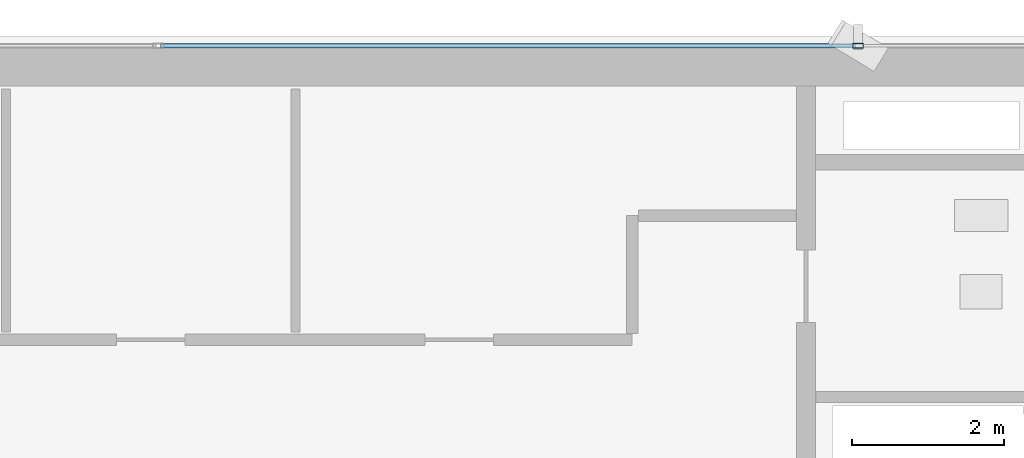
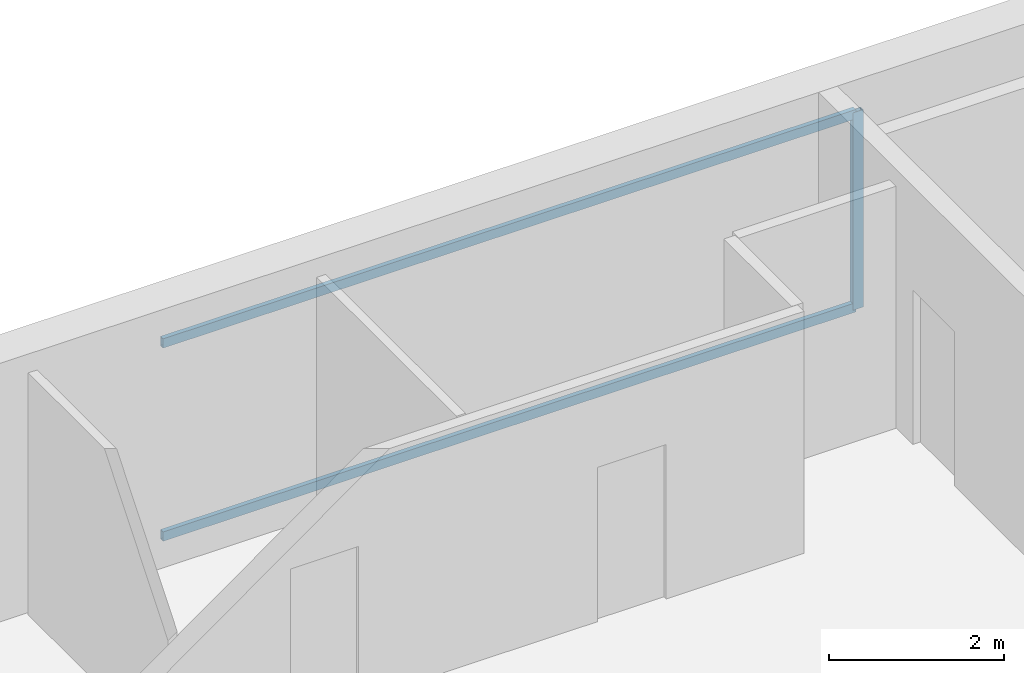
# One storey, part 17 of 26: 3 members, 1 element without a shape of its own.
"""IFC4 building model written with IfcOpenShell, lengths in metres."""

import ifcopenshell
import ifcopenshell.guid

model = None  # the IFC model being written
_history = None  # IfcOwnerHistory: only IFC2X3 demands one
_inside = {}  # id of a spatial element -> (the spatial element, [elements in it])
_under = {}  # id of a project, library or spatial element -> (it, [spatial elements below it])
_declared = {}  # id of a project -> (the project, [libraries it declares])
_typed = {}  # id of a type object -> (the type object, [elements of that type])
_made_of = {}  # id of a material, layer set ... -> (it, [elements and type objects made of it])


def new_model(schema):
    """Start an empty IFC model of exactly this schema.

    Asked for "IFC4X3", IfcOpenShell would pick the latest addendum, in which some entities
    have other attributes; the version numbers below select the first issue.
    IFC2X3 requires an IfcOwnerHistory on every rooted entity: one is made here for all.
    """
    global model, _history
    if schema == "IFC4X3":
        model = ifcopenshell.file(schema_version=(4, 3, 0, 0))
    else:
        model = ifcopenshell.file(schema=schema)
    _inside.clear()
    _under.clear()
    _declared.clear()
    _typed.clear()
    _made_of.clear()
    _history = None
    if model.schema == "IFC2X3":
        org = make("IfcOrganization", Name="unknown")
        user = make(
            "IfcPersonAndOrganization",
            ThePerson=make("IfcPerson", FamilyName="unknown"),
            TheOrganization=org,
        )
        app = make(
            "IfcApplication",
            ApplicationDeveloper=org,
            Version="unknown",
            ApplicationFullName="unknown",
            ApplicationIdentifier="unknown",
        )
        _history = make(
            "IfcOwnerHistory",
            OwningUser=user,
            OwningApplication=app,
            ChangeAction="ADDED",
            CreationDate=0,
        )
    return model


def make(cls, **values):
    """One entity of the class cls with the attributes given. An attribute that is None is left unset."""
    return model.create_entity(
        cls, **{name: value for name, value in values.items() if value is not None}
    )


def rooted(cls, **values):
    """An entity with a GlobalId (a new one), such as an element, a storey or a relation."""
    return make(cls, GlobalId=ifcopenshell.guid.new(), OwnerHistory=_history, **values)


def si_unit(unit_type, name, prefix=None):
    """IfcSIUnit, for example si_unit("LENGTHUNIT", "METRE", prefix="MILLI")."""
    return make("IfcSIUnit", UnitType=unit_type, Prefix=prefix, Name=name)


def assignment(units):
    """IfcUnitAssignment: the units of a project."""
    return None if units is None else make("IfcUnitAssignment", Units=units)


def point(xyz):
    """IfcCartesianPoint."""
    return None if xyz is None else make("IfcCartesianPoint", Coordinates=xyz)


def direction(xyz):
    """IfcDirection."""
    return None if xyz is None else make("IfcDirection", DirectionRatios=xyz)


def frame(location, z_axis=None, x_axis=None):
    """IfcAxis2Placement3D, a coordinate frame: its origin and axes. An axis left out is left unset."""
    return make(
        "IfcAxis2Placement3D",
        Location=point(location),
        Axis=direction(z_axis),
        RefDirection=direction(x_axis),
    )


def frame_2d(location, x_axis=None):
    """IfcAxis2Placement2D, a coordinate frame in the plane: its origin and x axis."""
    return make(
        "IfcAxis2Placement2D", Location=point(location), RefDirection=direction(x_axis)
    )


def origin():
    """The frame at (0, 0, 0) with its axes left unset."""
    return frame((0.0, 0.0, 0.0))


def origin_2d():
    """The frame at (0, 0) in the plane with its x axis left unset."""
    return frame_2d((0.0, 0.0))


def place(relative_to, where):
    """IfcLocalPlacement: puts the frame where relative to a parent placement (None: the world)."""
    return make(
        "IfcLocalPlacement", PlacementRelTo=relative_to, RelativePlacement=where
    )


def context(
    kind, dimensions, precision=None, world=None, true_north=None, identifier=None
):
    """IfcGeometricRepresentationContext, for example the 3D "Model" context."""
    return make(
        "IfcGeometricRepresentationContext",
        ContextIdentifier=identifier,
        ContextType=kind,
        CoordinateSpaceDimension=dimensions,
        Precision=precision,
        WorldCoordinateSystem=world,
        TrueNorth=true_north,
    )


def subcontext(parent, identifier, kind, view, scale=None):
    """IfcGeometricRepresentationSubContext, for example "Body" below "Model"."""
    return make(
        "IfcGeometricRepresentationSubContext",
        ContextIdentifier=identifier,
        ContextType=kind,
        ParentContext=parent,
        TargetScale=scale,
        TargetView=view,
    )


def project(units=None, contexts=None):
    """IfcProject with its units and contexts."""
    return rooted(
        "IfcProject",
        Name="project",
        RepresentationContexts=contexts,
        UnitsInContext=assignment(units),
    )


def spatial(cls, under=None, at=None, **own):
    """A site, building, storey or space (cls), placed at a placement, below another one or the project."""
    s = rooted(cls, ObjectPlacement=at, **own)
    if under is not None:
        _under.setdefault(under.id(), (under, []))[1].append(s)
    return s


def profile(cls, at=None, kind="AREA", **sizes):
    """A parametric profile (cls). Its sizes go by their IFC names, for example OverallWidth=200.0."""
    return make(cls, ProfileType=kind, Position=at, **sizes)


def hollow_rectangle(**sizes):
    """IfcRectangleHollowProfileDef."""
    return profile("IfcRectangleHollowProfileDef", **sizes)


def extrude(swept, where, along, depth):
    """IfcExtrudedAreaSolid: the profile swept, set in the frame where, extruded along a direction by depth."""
    return make(
        "IfcExtrudedAreaSolid",
        SweptArea=swept,
        Position=where,
        ExtrudedDirection=direction(along),
        Depth=depth,
    )


def shape(context_of_items, identifier, shape_type, items):
    """IfcShapeRepresentation: the items that make up one representation, for example the "Body"."""
    return make(
        "IfcShapeRepresentation",
        ContextOfItems=context_of_items,
        RepresentationIdentifier=identifier,
        RepresentationType=shape_type,
        Items=items,
    )


def source(mapping_origin, context_of_items, identifier, shape_type, items):
    """IfcRepresentationMap: a shape defined once, which mapped items show again and again."""
    return make(
        "IfcRepresentationMap",
        MappingOrigin=mapping_origin,
        MappedRepresentation=shape(context_of_items, identifier, shape_type, items),
    )


def transform(
    local_origin,
    x_axis=None,
    y_axis=None,
    z_axis=None,
    scale=None,
    scale2=None,
    scale3=None,
    uniform=True,
):
    """IfcCartesianTransformationOperator3D, or its non-uniform kind. x_axis, y_axis, z_axis: its Axis1, 2, 3."""
    if uniform:
        return make(
            "IfcCartesianTransformationOperator3D",
            Axis1=direction(x_axis),
            Axis2=direction(y_axis),
            LocalOrigin=point(local_origin),
            Scale=scale,
            Axis3=direction(z_axis),
        )
    return make(
        "IfcCartesianTransformationOperator3DnonUniform",
        Axis1=direction(x_axis),
        Axis2=direction(y_axis),
        LocalOrigin=point(local_origin),
        Scale=scale,
        Axis3=direction(z_axis),
        Scale2=scale2,
        Scale3=scale3,
    )


def mapped(mapping_source, mapping_target):
    """IfcMappedItem: shows the shape of a source again, moved by a transform."""
    return make(
        "IfcMappedItem", MappingSource=mapping_source, MappingTarget=mapping_target
    )


def material(Name=None, Category=None):
    """IfcMaterial."""
    return make("IfcMaterial", Name=Name, Category=Category)


def layer(
    of_material, thickness, ventilated=None, Name=None, Category=None, Priority=None
):
    """IfcMaterialLayer: one layer of a wall or slab, of a material (None: an air gap)."""
    return make(
        "IfcMaterialLayer",
        Material=of_material,
        LayerThickness=thickness,
        IsVentilated=ventilated,
        Name=Name,
        Category=Category,
        Priority=Priority,
    )


def layer_set(layers, Name=None):
    """IfcMaterialLayerSet."""
    return make("IfcMaterialLayerSet", MaterialLayers=layers, LayerSetName=Name)


def material_profile(
    of_material, cross_section, Name=None, Category=None, Priority=None
):
    """IfcMaterialProfile: a cross section and its material."""
    return make(
        "IfcMaterialProfile",
        Name=Name,
        Material=of_material,
        Profile=cross_section,
        Priority=Priority,
        Category=Category,
    )


def profile_set(profiles, Name=None, composite=None):
    """IfcMaterialProfileSet."""
    return make(
        "IfcMaterialProfileSet",
        Name=Name,
        MaterialProfiles=profiles,
        CompositeProfile=composite,
    )


def made_of(thing, what):
    """Note that an element or type object is made of a material, layer set ...; save() writes the relation."""
    if what is not None:
        _made_of.setdefault(what.id(), (what, []))[1].append(thing)
    return thing


def type_object(cls, material=None, **own):
    """A type object (cls), such as IfcWallType, which elements share."""
    return made_of(rooted(cls, **own), material)


def element(
    cls,
    number,
    at=None,
    inside=None,
    cuts=None,
    type_object=None,
    material=None,
    context=None,
    identifier="Body",
    shape_type=None,
    held_by="IfcProductDefinitionShape",
    body=None,
    shapes=None,
    **own,
):
    """One element of the class cls, such as IfcWall. Its Tag is "e" and its number.

    at: its placement. inside: the storey or other place that contains it. cuts: it is an
    opening in that element (IfcRelVoidsElement). A single representation is given by context,
    identifier, shape_type and body (its items); several are given by shapes. held_by: the class
    of the entity that holds the representations. save() writes the other relations.
    """
    e = rooted(cls, Tag="e%d" % number, ObjectPlacement=at, **own)
    if body is not None:
        shapes = [shape(context, identifier, shape_type, body)]
    if shapes is not None:
        e.Representation = make(held_by, Representations=shapes)
    if inside is not None:
        _inside.setdefault(inside.id(), (inside, []))[1].append(e)
    if cuts is not None:
        rooted(
            "IfcRelVoidsElement", RelatingBuildingElement=cuts, RelatedOpeningElement=e
        )
    if type_object is not None:
        _typed.setdefault(type_object.id(), (type_object, []))[1].append(e)
    return made_of(e, material)


def aggregate(whole, parts):
    """IfcRelAggregates: a whole, such as a stair, and the parts it consists of."""
    return rooted("IfcRelAggregates", RelatingObject=whole, RelatedObjects=parts)


def save(model, path):
    """Write the relations noted so far, then the file.

    IfcRelAggregates (storeys below a building ...), IfcRelContainedInSpatialStructure (elements
    in a storey), IfcRelDefinesByType, IfcRelAssociatesMaterial and IfcRelDeclares: one each for
    every whole, place, type object, material and project.
    """
    for whole, parts in _under.values():
        aggregate(whole, parts)
    for where, things in _inside.values():
        rooted(
            "IfcRelContainedInSpatialStructure",
            RelatedElements=things,
            RelatingStructure=where,
        )
    for kind, things in _typed.values():
        rooted("IfcRelDefinesByType", RelatedObjects=things, RelatingType=kind)
    for what, things in _made_of.values():
        rooted("IfcRelAssociatesMaterial", RelatedObjects=things, RelatingMaterial=what)
    for by, libraries in _declared.values():
        rooted("IfcRelDeclares", RelatingContext=by, RelatedDefinitions=libraries)
    model.write(path)


model = new_model("IFC4")

# Units and contexts
model_context = context("Model", 3, precision=1e-05, world=origin(), true_north=direction((0.0, 1.0)))
body_context = subcontext(model_context, "Body", "Model", "MODEL_VIEW")
ifc_project = project(units=[si_unit("LENGTHUNIT", "METRE"), si_unit("AREAUNIT", "SQUARE_METRE"), si_unit("VOLUMEUNIT", "CUBIC_METRE"), si_unit("PLANEANGLEUNIT", "RADIAN"), si_unit("MASSUNIT", "GRAM", prefix="KILO")], contexts=[model_context])

# Site, building, storey
site_placement = place(None, origin())
site = spatial("IfcSite", under=ifc_project, at=site_placement, CompositionType="ELEMENT")
building_placement = place(site_placement, origin())
building = spatial("IfcBuilding", under=site, at=building_placement, Name="Sumidabori Civic Tower", CompositionType="ELEMENT")
storey_placement = place(building_placement, frame((0.0, 0.0, 236.0)))
storey = spatial("IfcBuildingStorey", under=building, at=storey_placement, Name="L61", CompositionType="ELEMENT", Elevation=236.0)

# Curtain wall, members
ifc_material = material(Name="Anodised Bronze Aluminium AW-6063-T6", Category="aluminium")
ifc_layer = layer(ifc_material, 0.179931640625, Name="Anodised Bronze Aluminium AW-6063-T6")
ifc_layer_set = layer_set([ifc_layer], Name="Anodised Bronze Aluminium AW-6063-T6")
curtain_wall_type = type_object("IfcCurtainWallType", Name="CW-SYS-5", PredefinedType="NOTDEFINED", material=ifc_layer_set)
curtain_wall_placement = place(storey_placement, origin())
curtain_wall = element("IfcCurtainWall", 1, at=curtain_wall_placement, inside=storey, type_object=curtain_wall_type, Name="Curtain Wall CW:L61:R07", PredefinedType="NOTDEFINED")
ifc_material_profile_1 = material_profile(ifc_material, hollow_rectangle(XDim=0.06005859375, YDim=0.1298828125, WallThickness=0.0048828125, at=origin_2d()), Name="ALU TRANSOM 130x60")
ifc_profile_set_1 = profile_set([ifc_material_profile_1], Name="Anodised Bronze Aluminium AW-6063-T6")
member_type_1 = type_object("IfcMemberType", Name="CW-TRN-130", PredefinedType="USERDEFINED", material=ifc_profile_set_1)
shared_shape_1 = source(origin(), body_context, "Body", "SweptSolid", [
    extrude(hollow_rectangle(XDim=0.06005859375, YDim=0.1298828125, WallThickness=0.0048828125, at=origin_2d()), origin(), (0.0, 0.0, 1.0), 9.125),
])
member_1_placement = place(storey_placement, frame((9.155029296875, 24.080078125, 0.030029296875), z_axis=(-1.0, 0.0, 0.0), x_axis=(0.0, -1.0, 0.0)))
member_1 = element("IfcMember", 2, at=member_1_placement, type_object=member_type_1, Name="CW-5 transom 2.1", ObjectType="TRANSOM", PredefinedType="USERDEFINED", context=body_context, shape_type="MappedRepresentation", body=[
    mapped(shared_shape_1, transform((0.0, 0.0, 0.0), x_axis=(1.0, 0.0, 0.0), y_axis=(0.0, 1.0, 0.0), z_axis=(0.0, 0.0, 1.0), scale=1.0)),
])
member_2_placement = place(storey_placement, frame((9.155029296875, 24.080078125, 2.719970703125), z_axis=(-1.0, 0.0, 0.0), x_axis=(0.0, -1.0, 0.0)))
member_2 = element("IfcMember", 3, at=member_2_placement, type_object=member_type_1, Name="CW-5 transom 2.2", ObjectType="TRANSOM", PredefinedType="USERDEFINED", context=body_context, shape_type="MappedRepresentation", body=[
    mapped(shared_shape_1, transform((0.0, 0.0, 0.0), x_axis=(1.0, 0.0, 0.0), y_axis=(0.0, 1.0, 0.0), z_axis=(0.0, 0.0, 1.0), scale=1.0)),
])
ifc_material_profile_2 = material_profile(ifc_material, hollow_rectangle(XDim=0.06005859375, YDim=0.139892578125, WallThickness=0.0048828125, at=origin_2d()), Name="ALU MULLION 140x60")
ifc_profile_set_2 = profile_set([ifc_material_profile_2], Name="Anodised Bronze Aluminium AW-6063-T6")
member_type_2 = type_object("IfcMemberType", Name="CW-MUL-140", PredefinedType="MULLION", material=ifc_profile_set_2)
shared_shape_2 = source(origin(), body_context, "Body", "SweptSolid", [
    extrude(hollow_rectangle(XDim=0.06005859375, YDim=0.139892578125, WallThickness=0.0048828125, at=origin_2d()), origin(), (0.0, 0.0, 1.0), 2.75),
])
member_3_placement = place(storey_placement, frame((9.18505859375, 24.080078125, 0.0), z_axis=(0.0, 0.0, 1.0), x_axis=(0.0, -1.0, 0.0)))
member_3 = element("IfcMember", 4, at=member_3_placement, type_object=member_type_2, Name="CW-5 mullion 2", PredefinedType="MULLION", context=body_context, shape_type="MappedRepresentation", body=[
    mapped(shared_shape_2, transform((0.0, 0.0, 0.0), x_axis=(1.0, 0.0, 0.0), y_axis=(0.0, 1.0, 0.0), z_axis=(0.0, 0.0, 1.0), scale=1.0)),
])
aggregate(curtain_wall, [member_3, member_1, member_2])

save(model, "model.ifc")
